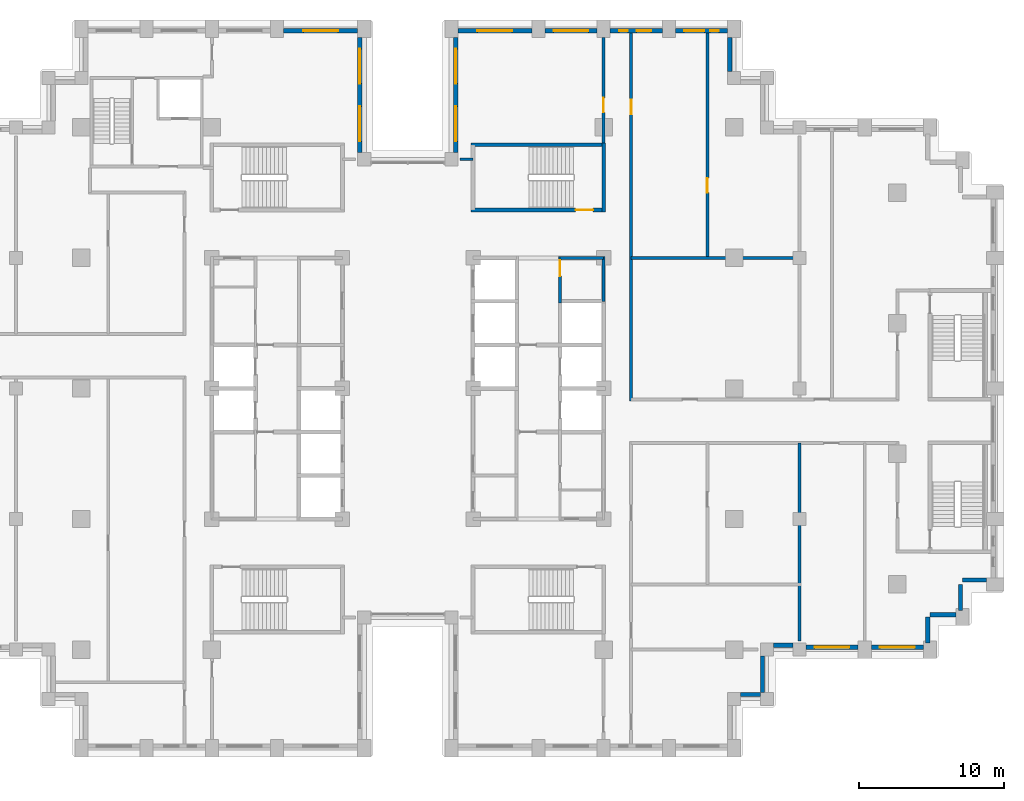
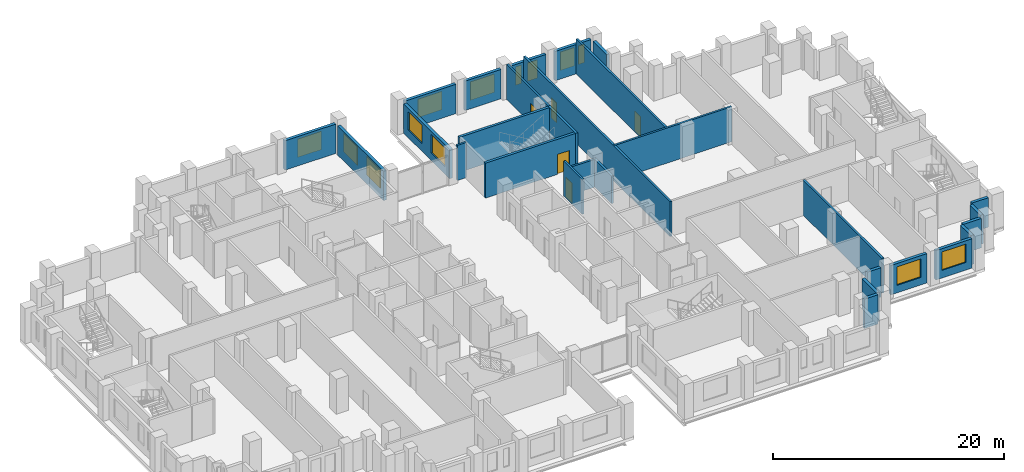
# One storey, part 11 of 16: 29 walls, 13 windows, 5 doors, 18 openings.
"""IFC4 building model written with IfcOpenShell, lengths in metres."""

from ifc_helpers import new_model, si_unit, direction, frame, frame_2d, origin, place, context, subcontext, project, spatial, rectangle, extrude, material, layer, layer_set, type_object, element, fill, save


model = new_model("IFC4")

# Units and contexts
model_context = context("Model", 3, precision=1e-05, world=origin(), true_north=direction((0.0, 1.0)))
body_context = subcontext(model_context, "Body", "Model", "MODEL_VIEW")
ifc_project = project(units=[si_unit("LENGTHUNIT", "METRE"), si_unit("AREAUNIT", "SQUARE_METRE"), si_unit("VOLUMEUNIT", "CUBIC_METRE"), si_unit("PLANEANGLEUNIT", "RADIAN"), si_unit("MASSUNIT", "GRAM", prefix="KILO")], contexts=[model_context])

# Site, building, storey
site_placement = place(None, origin())
site = spatial("IfcSite", under=ifc_project, at=site_placement, CompositionType="ELEMENT")
building_placement = place(site_placement, origin())
building = spatial("IfcBuilding", under=site, at=building_placement, Name="Corbelhall Arena Tower", CompositionType="ELEMENT")
storey_placement = place(building_placement, frame((0.0, 0.0, 108.0)))
storey = spatial("IfcBuildingStorey", under=building, at=storey_placement, Name="L19", CompositionType="ELEMENT", Elevation=108.0)

# Walls
ifc_material_1 = material(Name="Precast concrete C40/50 with granite facing", Category="masonry")
ifc_layer_1 = layer(ifc_material_1, 0.300048828125)
ifc_layer_set_1 = layer_set([ifc_layer_1], Name="EV-IW1 Infill panel 300")
wall_type_1 = type_object("IfcWallType", Name="EV-IW1 Infill panel 300", PredefinedType="SOLIDWALL", material=ifc_layer_set_1)
for number, where, z_axis, x_axis, name in (
    (1, (35.85009765625, -17.550048828125, 0.0), (0.0, 0.0, 1.0), (0.0, 1.0, 0.0), "Infill panel IW1"),
    (2, (37.800048828125, -15.60009765625, 0.0), (0.0, 0.0, 1.0), (-1.0, 0.0, 0.0), "Infill panel IW1"),
    (3, (38.10009765625, -15.300048828125, 0.0), (0.0, 0.0, 1.0), (0.0, 1.0, 0.0), "Infill panel IW1"),
):
    element("IfcWall", number, at=place(storey_placement, frame(where, z_axis=z_axis, x_axis=x_axis)), inside=storey, type_object=wall_type_1, Name=name, PredefinedType="SOLIDWALL", context=body_context, shape_type="SweptSolid", body=[
        extrude(rectangle(XDim=1.800048828125, YDim=0.300048828125, at=frame_2d((0.89990234375, 0.0))), origin(), (0.0, 0.0, 1.0), 3.10009765625),
    ])
wall_1_placement = place(storey_placement, frame((39.89990234375, -13.199951171875, 0.0), z_axis=(0.0, 0.0, 1.0), x_axis=(-1.0, 0.0, 0.0)))
element("IfcWall", 4, at=wall_1_placement, inside=storey, type_object=wall_type_1, Name="Infill panel IW1", PredefinedType="SOLIDWALL", context=body_context, shape_type="SweptSolid", body=[
    extrude(rectangle(XDim=1.64990234375, YDim=0.300048828125, at=frame_2d((0.824951171875, 0.0))), origin(), (0.0, 0.0, 1.0), 3.10009765625),
])
wall_2_placement = place(storey_placement, frame((22.949951171875, -21.10009765625, 0.0), z_axis=(0.0, 0.0, 1.0), x_axis=(1.0, 0.0, 0.0)))
element("IfcWall", 5, at=wall_2_placement, inside=storey, type_object=wall_type_1, Name="Infill panel IW1", PredefinedType="SOLIDWALL", context=body_context, shape_type="SweptSolid", body=[
    extrude(rectangle(XDim=1.35009765625, YDim=0.300048828125, at=frame_2d((0.675048828125, 0.0))), origin(), (0.0, 0.0, 1.0), 3.10009765625),
])
wall_3_placement = place(storey_placement, frame((24.449951171875, -20.949951171875, 0.0), z_axis=(0.0, 0.0, 1.0), x_axis=(0.0, 1.0, 0.0)))
element("IfcWall", 6, at=wall_3_placement, inside=storey, type_object=wall_type_1, Name="Infill panel IW1", PredefinedType="SOLIDWALL", context=body_context, shape_type="SweptSolid", body=[
    extrude(rectangle(XDim=2.5, YDim=0.300048828125, at=frame_2d((1.25, 0.0))), origin(), (0.0, 0.0, 1.0), 3.10009765625),
])
wall_4_placement = place(storey_placement, frame((25.199951171875, -17.699951171875, 0.0), z_axis=(0.0, 0.0, 1.0), x_axis=(1.0, 0.0, 0.0)))
element("IfcWall", 7, at=wall_4_placement, inside=storey, type_object=wall_type_1, Name="Infill panel IW1", PredefinedType="SOLIDWALL", context=body_context, shape_type="SweptSolid", body=[
    extrude(rectangle(XDim=1.35009765625, YDim=0.300048828125, at=frame_2d((0.675048828125, 0.0))), origin(), (0.0, 0.0, 1.0), 3.10009765625),
])

# Wall, opening, window
wall_5_placement = place(storey_placement, frame((27.449951171875, -17.85009765625, 0.0), z_axis=(0.0, 0.0, 1.0), x_axis=(1.0, 0.0, 0.0)))
wall_5 = element("IfcWall", 8, at=wall_5_placement, inside=storey, type_object=wall_type_1, Name="Infill panel IW1", PredefinedType="SOLIDWALL", context=body_context, shape_type="SweptSolid", body=[
    extrude(rectangle(XDim=3.60009765625, YDim=0.300048828125, at=frame_2d((1.800048828125, 0.0))), origin(), (0.0, 0.0, 1.0), 3.10009765625),
])
opening_1_placement = place(wall_5_placement, frame((0.60009765625, 0.0, 0.800048828125)))
opening_1 = element("IfcOpeningElement", 9, at=opening_1_placement, cuts=wall_5, Name="Opening WN1", PredefinedType="OPENING", context=body_context, shape_type="SweptSolid", body=[
    extrude(rectangle(XDim=2.39990234375, YDim=1.949951171875, at=frame_2d((1.199951171875, 0.97509765625))), frame((0.0, 0.14990234375, 0.0), z_axis=(0.0, -1.0, 0.0), x_axis=(1.0, 0.0, 0.0)), (0.0, 0.0, 1.0), 0.300048828125),
])
ifc_material_2 = material(Name="Aluminium black anodised", Category="aluminium")
window_type_1 = type_object("IfcWindowType", Name="EV-WN1 Office window", PartitioningType="SINGLE_PANEL", PredefinedType="WINDOW", material=ifc_material_2)
window_1_placement = place(opening_1_placement, origin())
window_1 = element("IfcWindow", 10, at=window_1_placement, inside=storey, type_object=window_type_1, Name="Window WN1", OverallHeight=1.949951171875, OverallWidth=2.39990234375, PartitioningType="SINGLE_PANEL", PredefinedType="WINDOW", context=body_context, shape_type="SweptSolid", body=[
    extrude(rectangle(XDim=2.39990234375, YDim=1.949951171875, at=frame_2d((1.199951171875, 0.97509765625))), frame((0.0, 0.030029296875, 0.0), z_axis=(0.0, -1.0, 0.0), x_axis=(1.0, 0.0, 0.0)), (0.0, 0.0, 1.0), 0.06005859375),
])
fill(opening_1, window_1)

wall_6_placement = place(storey_placement, frame((31.949951171875, -17.85009765625, 0.0), z_axis=(0.0, 0.0, 1.0), x_axis=(1.0, 0.0, 0.0)))
wall_6 = element("IfcWall", 11, at=wall_6_placement, inside=storey, type_object=wall_type_1, Name="Infill panel IW1", PredefinedType="SOLIDWALL", context=body_context, shape_type="SweptSolid", body=[
    extrude(rectangle(XDim=3.60009765625, YDim=0.300048828125, at=frame_2d((1.800048828125, 0.0))), origin(), (0.0, 0.0, 1.0), 3.10009765625),
])
opening_2_placement = place(wall_6_placement, frame((0.60009765625, 0.0, 0.800048828125)))
opening_2 = element("IfcOpeningElement", 12, at=opening_2_placement, cuts=wall_6, Name="Opening WN1", PredefinedType="OPENING", context=body_context, shape_type="SweptSolid", body=[
    extrude(rectangle(XDim=2.39990234375, YDim=1.949951171875, at=frame_2d((1.199951171875, 0.97509765625))), frame((0.0, 0.14990234375, 0.0), z_axis=(0.0, -1.0, 0.0), x_axis=(1.0, 0.0, 0.0)), (0.0, 0.0, 1.0), 0.300048828125),
])
window_2_placement = place(opening_2_placement, origin())
window_2 = element("IfcWindow", 13, at=window_2_placement, inside=storey, type_object=window_type_1, Name="Window WN1", OverallHeight=1.949951171875, OverallWidth=2.39990234375, PartitioningType="SINGLE_PANEL", PredefinedType="WINDOW", context=body_context, shape_type="SweptSolid", body=[
    extrude(rectangle(XDim=2.39990234375, YDim=1.949951171875, at=frame_2d((1.199951171875, 0.97509765625))), frame((0.0, 0.030029296875, 0.0), z_axis=(0.0, -1.0, 0.0), x_axis=(1.0, 0.0, 0.0)), (0.0, 0.0, 1.0), 0.06005859375),
])
fill(opening_2, window_2)

# Wall
wall_7_placement = place(storey_placement, frame((22.199951171875, 21.85009765625, 0.0), z_axis=(0.0, 0.0, 1.0), x_axis=(0.0, 1.0, 0.0)))
element("IfcWall", 14, at=wall_7_placement, inside=storey, type_object=wall_type_1, Name="Infill panel IW1", PredefinedType="SOLIDWALL", context=body_context, shape_type="SweptSolid", body=[
    extrude(rectangle(XDim=2.349853515625, YDim=0.300048828125, at=frame_2d((1.1748046875, 0.0))), origin(), (0.0, 0.0, 1.0), 3.10009765625),
])

# Wall, openings, windows
wall_8_placement = place(storey_placement, frame((22.050048828125, 24.64990234375, 0.0), z_axis=(0.0, 0.0, 1.0), x_axis=(-1.0, 0.0, 0.0)))
wall_8 = element("IfcWall", 15, at=wall_8_placement, inside=storey, type_object=wall_type_1, Name="Infill panel IW1", PredefinedType="SOLIDWALL", context=body_context, shape_type="SweptSolid", body=[
    extrude(rectangle(XDim=3.60009765625, YDim=0.300048828125, at=frame_2d((1.800048828125, 0.0))), origin(), (0.0, 0.0, 1.0), 3.10009765625),
])
opening_3_placement = place(wall_8_placement, frame((0.60009765625, 0.0, 0.800048828125)))
opening_3 = element("IfcOpeningElement", 16, at=opening_3_placement, cuts=wall_8, Name="Opening WN5", PredefinedType="OPENING", context=body_context, shape_type="SweptSolid", body=[
    extrude(rectangle(XDim=0.60009765625, YDim=1.949951171875, at=frame_2d((0.300048828125, 0.97509765625))), frame((0.0, 0.14990234375, 0.0), z_axis=(0.0, -1.0, 0.0), x_axis=(1.0, 0.0, 0.0)), (0.0, 0.0, 1.0), 0.300048828125),
])
opening_4_placement = place(wall_8_placement, frame((1.60009765625, 0.0, 0.800048828125)))
opening_4 = element("IfcOpeningElement", 17, at=opening_4_placement, cuts=wall_8, Name="Opening WN7", PredefinedType="OPENING", context=body_context, shape_type="SweptSolid", body=[
    extrude(rectangle(XDim=1.39990234375, YDim=1.949951171875, at=frame_2d((0.699951171875, 0.97509765625))), frame((0.0, 0.14990234375, 0.0), z_axis=(0.0, -1.0, 0.0), x_axis=(1.0, 0.0, 0.0)), (0.0, 0.0, 1.0), 0.300048828125),
])
window_type_2 = type_object("IfcWindowType", Name="EV-WN5 Office window 600", PartitioningType="SINGLE_PANEL", PredefinedType="WINDOW", material=ifc_material_2)
window_3_placement = place(opening_3_placement, origin())
window_3 = element("IfcWindow", 18, at=window_3_placement, inside=storey, type_object=window_type_2, Name="Window WN5", OverallHeight=1.949951171875, OverallWidth=0.60009765625, PartitioningType="SINGLE_PANEL", PredefinedType="WINDOW", context=body_context, shape_type="SweptSolid", body=[
    extrude(rectangle(XDim=0.60009765625, YDim=1.949951171875, at=frame_2d((0.300048828125, 0.97509765625))), frame((0.0, 0.030029296875, 0.0), z_axis=(0.0, -1.0, 0.0), x_axis=(1.0, 0.0, 0.0)), (0.0, 0.0, 1.0), 0.06005859375),
])
fill(opening_3, window_3)
window_type_3 = type_object("IfcWindowType", Name="EV-WN7 Office window 1400", PartitioningType="SINGLE_PANEL", PredefinedType="WINDOW", material=ifc_material_2)
window_4_placement = place(opening_4_placement, origin())
window_4 = element("IfcWindow", 19, at=window_4_placement, inside=storey, type_object=window_type_3, Name="Window WN7", OverallHeight=1.949951171875, OverallWidth=1.39990234375, PartitioningType="SINGLE_PANEL", PredefinedType="WINDOW", context=body_context, shape_type="SweptSolid", body=[
    extrude(rectangle(XDim=1.39990234375, YDim=1.949951171875, at=frame_2d((0.699951171875, 0.97509765625))), frame((0.0, 0.030029296875, 0.0), z_axis=(0.0, -1.0, 0.0), x_axis=(1.0, 0.0, 0.0)), (0.0, 0.0, 1.0), 0.06005859375),
])
fill(opening_4, window_4)

wall_9_placement = place(storey_placement, frame((17.550048828125, 24.64990234375, 0.0), z_axis=(0.0, 0.0, 1.0), x_axis=(-1.0, 0.0, 0.0)))
wall_9 = element("IfcWall", 20, at=wall_9_placement, inside=storey, type_object=wall_type_1, Name="Infill panel IW1", PredefinedType="SOLIDWALL", context=body_context, shape_type="SweptSolid", body=[
    extrude(rectangle(XDim=3.60009765625, YDim=0.300048828125, at=frame_2d((1.800048828125, 0.0))), origin(), (0.0, 0.0, 1.0), 3.10009765625),
])
opening_5_placement = place(wall_9_placement, frame((0.77490234375, 0.0, 0.800048828125)))
opening_5 = element("IfcOpeningElement", 21, at=opening_5_placement, cuts=wall_9, Name="Opening WN6", PredefinedType="OPENING", context=body_context, shape_type="SweptSolid", body=[
    extrude(rectangle(XDim=1.0, YDim=1.949951171875, at=frame_2d((0.5, 0.97509765625))), frame((0.0, 0.14990234375, 0.0), z_axis=(0.0, -1.0, 0.0), x_axis=(1.0, 0.0, 0.0)), (0.0, 0.0, 1.0), 0.300048828125),
])
opening_6_placement = place(wall_9_placement, frame((2.375, 0.0, 0.800048828125)))
opening_6 = element("IfcOpeningElement", 22, at=opening_6_placement, cuts=wall_9, Name="Opening WN5", PredefinedType="OPENING", context=body_context, shape_type="SweptSolid", body=[
    extrude(rectangle(XDim=0.60009765625, YDim=1.949951171875, at=frame_2d((0.300048828125, 0.97509765625))), frame((0.0, 0.14990234375, 0.0), z_axis=(0.0, -1.0, 0.0), x_axis=(1.0, 0.0, 0.0)), (0.0, 0.0, 1.0), 0.300048828125),
])
window_5_placement = place(opening_6_placement, origin())
window_5 = element("IfcWindow", 23, at=window_5_placement, inside=storey, type_object=window_type_2, Name="Window WN5", OverallHeight=1.949951171875, OverallWidth=0.60009765625, PartitioningType="SINGLE_PANEL", PredefinedType="WINDOW", context=body_context, shape_type="SweptSolid", body=[
    extrude(rectangle(XDim=0.60009765625, YDim=1.949951171875, at=frame_2d((0.300048828125, 0.97509765625))), frame((0.0, 0.030029296875, 0.0), z_axis=(0.0, -1.0, 0.0), x_axis=(1.0, 0.0, 0.0)), (0.0, 0.0, 1.0), 0.06005859375),
])
fill(opening_6, window_5)
window_type_4 = type_object("IfcWindowType", Name="EV-WN6 Office window 1000", PartitioningType="SINGLE_PANEL", PredefinedType="WINDOW", material=ifc_material_2)
window_6_placement = place(opening_5_placement, origin())
window_6 = element("IfcWindow", 24, at=window_6_placement, inside=storey, type_object=window_type_4, Name="Window WN6", OverallHeight=1.949951171875, OverallWidth=1.0, PartitioningType="SINGLE_PANEL", PredefinedType="WINDOW", context=body_context, shape_type="SweptSolid", body=[
    extrude(rectangle(XDim=1.0, YDim=1.949951171875, at=frame_2d((0.5, 0.97509765625))), frame((0.0, 0.030029296875, 0.0), z_axis=(0.0, -1.0, 0.0), x_axis=(1.0, 0.0, 0.0)), (0.0, 0.0, 1.0), 0.06005859375),
])
fill(opening_5, window_6)

# Wall, opening, window
wall_10_placement = place(storey_placement, frame((13.050048828125, 24.64990234375, 0.0), z_axis=(0.0, 0.0, 1.0), x_axis=(-1.0, 0.0, 0.0)))
wall_10 = element("IfcWall", 25, at=wall_10_placement, inside=storey, type_object=wall_type_1, Name="Infill panel IW1", PredefinedType="SOLIDWALL", context=body_context, shape_type="SweptSolid", body=[
    extrude(rectangle(XDim=3.60009765625, YDim=0.300048828125, at=frame_2d((1.800048828125, 0.0))), origin(), (0.0, 0.0, 1.0), 3.10009765625),
])
opening_7_placement = place(wall_10_placement, frame((0.60009765625, 0.0, 0.800048828125)))
opening_7 = element("IfcOpeningElement", 26, at=opening_7_placement, cuts=wall_10, Name="Opening WN1", PredefinedType="OPENING", context=body_context, shape_type="SweptSolid", body=[
    extrude(rectangle(XDim=2.39990234375, YDim=1.949951171875, at=frame_2d((1.199951171875, 0.97509765625))), frame((0.0, 0.14990234375, 0.0), z_axis=(0.0, -1.0, 0.0), x_axis=(1.0, 0.0, 0.0)), (0.0, 0.0, 1.0), 0.300048828125),
])
window_7_placement = place(opening_7_placement, origin())
window_7 = element("IfcWindow", 27, at=window_7_placement, inside=storey, type_object=window_type_1, Name="Window WN1", OverallHeight=1.949951171875, OverallWidth=2.39990234375, PartitioningType="SINGLE_PANEL", PredefinedType="WINDOW", context=body_context, shape_type="SweptSolid", body=[
    extrude(rectangle(XDim=2.39990234375, YDim=1.949951171875, at=frame_2d((1.199951171875, 0.97509765625))), frame((0.0, 0.030029296875, 0.0), z_axis=(0.0, -1.0, 0.0), x_axis=(1.0, 0.0, 0.0)), (0.0, 0.0, 1.0), 0.06005859375),
])
fill(opening_7, window_7)

wall_11_placement = place(storey_placement, frame((8.550048828125, 24.64990234375, 0.0), z_axis=(0.0, 0.0, 1.0), x_axis=(-1.0, 0.0, 0.0)))
wall_11 = element("IfcWall", 28, at=wall_11_placement, inside=storey, type_object=wall_type_1, Name="Infill panel IW1", PredefinedType="SOLIDWALL", context=body_context, shape_type="SweptSolid", body=[
    extrude(rectangle(XDim=5.10009765625, YDim=0.300048828125, at=frame_2d((2.550048828125, 0.0))), origin(), (0.0, 0.0, 1.0), 3.10009765625),
])
opening_8_placement = place(wall_11_placement, frame((1.35009765625, 0.0, 0.800048828125)))
opening_8 = element("IfcOpeningElement", 29, at=opening_8_placement, cuts=wall_11, Name="Opening WN1", PredefinedType="OPENING", context=body_context, shape_type="SweptSolid", body=[
    extrude(rectangle(XDim=2.39990234375, YDim=1.949951171875, at=frame_2d((1.199951171875, 0.97509765625))), frame((0.0, 0.14990234375, 0.0), z_axis=(0.0, -1.0, 0.0), x_axis=(1.0, 0.0, 0.0)), (0.0, 0.0, 1.0), 0.300048828125),
])
window_8_placement = place(opening_8_placement, origin())
window_8 = element("IfcWindow", 30, at=window_8_placement, inside=storey, type_object=window_type_1, Name="Window WN1", OverallHeight=1.949951171875, OverallWidth=2.39990234375, PartitioningType="SINGLE_PANEL", PredefinedType="WINDOW", context=body_context, shape_type="SweptSolid", body=[
    extrude(rectangle(XDim=2.39990234375, YDim=1.949951171875, at=frame_2d((1.199951171875, 0.97509765625))), frame((0.0, 0.030029296875, 0.0), z_axis=(0.0, -1.0, 0.0), x_axis=(1.0, 0.0, 0.0)), (0.0, 0.0, 1.0), 0.06005859375),
])
fill(opening_8, window_8)

# Wall, openings, windows
wall_12_placement = place(storey_placement, frame((3.300048828125, 24.199951171875, 0.0), z_axis=(0.0, 0.0, 1.0), x_axis=(0.0, -1.0, 0.0)))
wall_12 = element("IfcWall", 31, at=wall_12_placement, inside=storey, type_object=wall_type_1, Name="Infill panel IW1", PredefinedType="SOLIDWALL", context=body_context, shape_type="SweptSolid", body=[
    extrude(rectangle(XDim=7.949951171875, YDim=0.300048828125, at=frame_2d((3.97509765625, 0.0))), origin(), (0.0, 0.0, 1.0), 3.10009765625),
])
opening_9_placement = place(wall_12_placement, frame((0.78759765625, 0.0, 0.800048828125)))
opening_9 = element("IfcOpeningElement", 32, at=opening_9_placement, cuts=wall_12, Name="Opening WN1", PredefinedType="OPENING", context=body_context, shape_type="SweptSolid", body=[
    extrude(rectangle(XDim=2.39990234375, YDim=1.949951171875, at=frame_2d((1.199951171875, 0.97509765625))), frame((0.0, 0.14990234375, 0.0), z_axis=(0.0, -1.0, 0.0), x_axis=(1.0, 0.0, 0.0)), (0.0, 0.0, 1.0), 0.300048828125),
])
opening_10_placement = place(wall_12_placement, frame((4.762451171875, 0.0, 0.800048828125)))
opening_10 = element("IfcOpeningElement", 33, at=opening_10_placement, cuts=wall_12, Name="Opening WN1", PredefinedType="OPENING", context=body_context, shape_type="SweptSolid", body=[
    extrude(rectangle(XDim=2.39990234375, YDim=1.949951171875, at=frame_2d((1.199951171875, 0.97509765625))), frame((0.0, 0.14990234375, 0.0), z_axis=(0.0, -1.0, 0.0), x_axis=(1.0, 0.0, 0.0)), (0.0, 0.0, 1.0), 0.300048828125),
])
window_9_placement = place(opening_9_placement, origin())
window_9 = element("IfcWindow", 34, at=window_9_placement, inside=storey, type_object=window_type_1, Name="Window WN1", OverallHeight=1.949951171875, OverallWidth=2.39990234375, PartitioningType="SINGLE_PANEL", PredefinedType="WINDOW", context=body_context, shape_type="SweptSolid", body=[
    extrude(rectangle(XDim=2.39990234375, YDim=1.949951171875, at=frame_2d((1.199951171875, 0.97509765625))), frame((0.0, 0.030029296875, 0.0), z_axis=(0.0, -1.0, 0.0), x_axis=(1.0, 0.0, 0.0)), (0.0, 0.0, 1.0), 0.06005859375),
])
fill(opening_9, window_9)
window_10_placement = place(opening_10_placement, origin())
window_10 = element("IfcWindow", 35, at=window_10_placement, inside=storey, type_object=window_type_1, Name="Window WN1", OverallHeight=1.949951171875, OverallWidth=2.39990234375, PartitioningType="SINGLE_PANEL", PredefinedType="WINDOW", context=body_context, shape_type="SweptSolid", body=[
    extrude(rectangle(XDim=2.39990234375, YDim=1.949951171875, at=frame_2d((1.199951171875, 0.97509765625))), frame((0.0, 0.030029296875, 0.0), z_axis=(0.0, -1.0, 0.0), x_axis=(1.0, 0.0, 0.0)), (0.0, 0.0, 1.0), 0.06005859375),
])
fill(opening_10, window_10)

wall_13_placement = place(storey_placement, frame((-3.300048828125, 16.25, 0.0), z_axis=(0.0, 0.0, 1.0), x_axis=(0.0, 1.0, 0.0)))
wall_13 = element("IfcWall", 36, at=wall_13_placement, inside=storey, type_object=wall_type_1, Name="Infill panel IW1", PredefinedType="SOLIDWALL", context=body_context, shape_type="SweptSolid", body=[
    extrude(rectangle(XDim=7.949951171875, YDim=0.300048828125, at=frame_2d((3.97509765625, 0.0))), origin(), (0.0, 0.0, 1.0), 3.10009765625),
])
opening_11_placement = place(wall_13_placement, frame((0.78759765625, 0.0, 0.800048828125)))
opening_11 = element("IfcOpeningElement", 37, at=opening_11_placement, cuts=wall_13, Name="Opening WN1", PredefinedType="OPENING", context=body_context, shape_type="SweptSolid", body=[
    extrude(rectangle(XDim=2.39990234375, YDim=1.949951171875, at=frame_2d((1.199951171875, 0.97509765625))), frame((0.0, 0.14990234375, 0.0), z_axis=(0.0, -1.0, 0.0), x_axis=(1.0, 0.0, 0.0)), (0.0, 0.0, 1.0), 0.300048828125),
])
opening_12_placement = place(wall_13_placement, frame((4.762451171875, 0.0, 0.800048828125)))
opening_12 = element("IfcOpeningElement", 38, at=opening_12_placement, cuts=wall_13, Name="Opening WN1", PredefinedType="OPENING", context=body_context, shape_type="SweptSolid", body=[
    extrude(rectangle(XDim=2.39990234375, YDim=1.949951171875, at=frame_2d((1.199951171875, 0.97509765625))), frame((0.0, 0.14990234375, 0.0), z_axis=(0.0, -1.0, 0.0), x_axis=(1.0, 0.0, 0.0)), (0.0, 0.0, 1.0), 0.300048828125),
])
window_11_placement = place(opening_11_placement, origin())
window_11 = element("IfcWindow", 39, at=window_11_placement, inside=storey, type_object=window_type_1, Name="Window WN1", OverallHeight=1.949951171875, OverallWidth=2.39990234375, PartitioningType="SINGLE_PANEL", PredefinedType="WINDOW", context=body_context, shape_type="SweptSolid", body=[
    extrude(rectangle(XDim=2.39990234375, YDim=1.949951171875, at=frame_2d((1.199951171875, 0.97509765625))), frame((0.0, 0.030029296875, 0.0), z_axis=(0.0, -1.0, 0.0), x_axis=(1.0, 0.0, 0.0)), (0.0, 0.0, 1.0), 0.06005859375),
])
fill(opening_11, window_11)
window_12_placement = place(opening_12_placement, origin())
window_12 = element("IfcWindow", 40, at=window_12_placement, inside=storey, type_object=window_type_1, Name="Window WN1", OverallHeight=1.949951171875, OverallWidth=2.39990234375, PartitioningType="SINGLE_PANEL", PredefinedType="WINDOW", context=body_context, shape_type="SweptSolid", body=[
    extrude(rectangle(XDim=2.39990234375, YDim=1.949951171875, at=frame_2d((1.199951171875, 0.97509765625))), frame((0.0, 0.030029296875, 0.0), z_axis=(0.0, -1.0, 0.0), x_axis=(1.0, 0.0, 0.0)), (0.0, 0.0, 1.0), 0.06005859375),
])
fill(opening_12, window_12)

# Wall, opening, window
wall_14_placement = place(storey_placement, frame((-3.449951171875, 24.64990234375, 0.0), z_axis=(0.0, 0.0, 1.0), x_axis=(-1.0, 0.0, 0.0)))
wall_14 = element("IfcWall", 41, at=wall_14_placement, inside=storey, type_object=wall_type_1, Name="Infill panel IW1", PredefinedType="SOLIDWALL", context=body_context, shape_type="SweptSolid", body=[
    extrude(rectangle(XDim=5.10009765625, YDim=0.300048828125, at=frame_2d((2.550048828125, 0.0))), origin(), (0.0, 0.0, 1.0), 3.10009765625),
])
opening_13_placement = place(wall_14_placement, frame((1.35009765625, 0.0, 0.800048828125)))
opening_13 = element("IfcOpeningElement", 42, at=opening_13_placement, cuts=wall_14, Name="Opening WN1", PredefinedType="OPENING", context=body_context, shape_type="SweptSolid", body=[
    extrude(rectangle(XDim=2.39990234375, YDim=1.949951171875, at=frame_2d((1.199951171875, 0.97509765625))), frame((0.0, 0.14990234375, 0.0), z_axis=(0.0, -1.0, 0.0), x_axis=(1.0, 0.0, 0.0)), (0.0, 0.0, 1.0), 0.300048828125),
])
window_13_placement = place(opening_13_placement, origin())
window_13 = element("IfcWindow", 43, at=window_13_placement, inside=storey, type_object=window_type_1, Name="Window WN1", OverallHeight=1.949951171875, OverallWidth=2.39990234375, PartitioningType="SINGLE_PANEL", PredefinedType="WINDOW", context=body_context, shape_type="SweptSolid", body=[
    extrude(rectangle(XDim=2.39990234375, YDim=1.949951171875, at=frame_2d((1.199951171875, 0.97509765625))), frame((0.0, 0.030029296875, 0.0), z_axis=(0.0, -1.0, 0.0), x_axis=(1.0, 0.0, 0.0)), (0.0, 0.0, 1.0), 0.06005859375),
])
fill(opening_13, window_13)

# Wall
ifc_material_3 = material(Name="Gypsum board on steel stud, acoustic", Category="steel")
ifc_layer_2 = layer(ifc_material_3, 0.199951171875)
ifc_layer_set_2 = layer_set([ifc_layer_2], Name="IN-W-DM200")
wall_type_2 = type_object("IfcWallType", Name="IN-W-DM200", PredefinedType="PARTITIONING", material=ifc_layer_set_2)
wall_15_placement = place(storey_placement, frame((3.60009765625, 15.800048828125, 0.0), z_axis=(0.0, 0.0, 1.0), x_axis=(1.0, 0.0, 0.0)))
element("IfcWall", 44, at=wall_15_placement, inside=storey, type_object=wall_type_2, Name="Partition 023", PredefinedType="PARTITIONING", context=body_context, shape_type="SweptSolid", body=[
    extrude(rectangle(XDim=0.89990234375, YDim=0.199951171875, at=frame_2d((0.449951171875, 0.0))), origin(), (0.0, 0.0, 1.0), 3.699951171875),
])

# Wall, opening, door
wall_16_placement = place(storey_placement, frame((13.5, 16.675048828125, 0.0), z_axis=(0.0, 0.0, 1.0), x_axis=(0.0, 1.0, 0.0)))
wall_16 = element("IfcWall", 45, at=wall_16_placement, inside=storey, type_object=wall_type_2, Name="Partition 026", PredefinedType="PARTITIONING", context=body_context, shape_type="SweptSolid", body=[
    extrude(rectangle(XDim=7.52490234375, YDim=0.199951171875, at=frame_2d((3.762451171875, 0.0))), origin(), (0.0, 0.0, 1.0), 3.699951171875),
])
opening_14_placement = place(wall_16_placement, frame((2.35009765625, 0.0, 0.0)))
opening_14 = element("IfcOpeningElement", 46, at=opening_14_placement, cuts=wall_16, Name="Opening 04024", PredefinedType="OPENING", context=body_context, shape_type="SweptSolid", body=[
    extrude(rectangle(XDim=1.0, YDim=2.10009765625, at=frame_2d((0.5, 1.050048828125))), frame((0.0, 0.10009765625, 0.0), z_axis=(0.0, -1.0, 0.0), x_axis=(1.0, 0.0, 0.0)), (0.0, 0.0, 1.0), 0.199951171875),
])
ifc_material_4 = material(Name="Steel door set", Category="steel")
door_type_1 = type_object("IfcDoorType", Name="IN-D-SW100", OperationType="NOTDEFINED", PredefinedType="DOOR", material=ifc_material_4)
door_1_placement = place(opening_14_placement, origin())
door_1 = element("IfcDoor", 47, at=door_1_placement, inside=storey, type_object=door_type_1, Name="Door 024", OperationType="SINGLE_SWING_LEFT", OverallHeight=2.10009765625, OverallWidth=1.0, PredefinedType="DOOR", context=body_context, shape_type="SweptSolid", body=[
    extrude(rectangle(XDim=1.0, YDim=2.10009765625, at=frame_2d((0.5, 1.050048828125))), frame((0.0, 0.02490234375, 0.0), z_axis=(0.0, -1.0, 0.0), x_axis=(1.0, 0.0, 0.0)), (0.0, 0.0, 1.0), 0.050048828125),
])
fill(opening_14, door_1)

# Wall
wall_17_placement = place(storey_placement, frame((15.39990234375, 9.0, 0.0), z_axis=(0.0, 0.0, 1.0), x_axis=(1.0, 0.0, 0.0)))
element("IfcWall", 48, at=wall_17_placement, inside=storey, type_object=wall_type_2, Name="Partition 031", PredefinedType="PARTITIONING", context=body_context, shape_type="SweptSolid", body=[
    extrude(rectangle(XDim=11.7001953125, YDim=0.199951171875, at=frame_2d((5.85009765625, 0.0))), origin(), (0.0, 0.0, 1.0), 3.699951171875),
])

# Wall, opening, door
wall_18_placement = place(storey_placement, frame((15.39990234375, 24.5, 0.0), z_axis=(0.0, 0.0, 1.0), x_axis=(0.0, -1.0, 0.0)))
wall_18 = element("IfcWall", 49, at=wall_18_placement, inside=storey, type_object=wall_type_2, Name="Partition 032", PredefinedType="PARTITIONING", context=body_context, shape_type="SweptSolid", body=[
    extrude(rectangle(XDim=25.35009765625, YDim=0.199951171875, at=frame_2d((12.675048828125, 0.0))), origin(), (0.0, 0.0, 1.0), 3.699951171875),
])
opening_15_placement = place(wall_18_placement, frame((4.60009765625, 0.0, 0.0)))
opening_15 = element("IfcOpeningElement", 50, at=opening_15_placement, cuts=wall_18, Name="Opening 04033", PredefinedType="OPENING", context=body_context, shape_type="SweptSolid", body=[
    extrude(rectangle(XDim=1.0, YDim=2.10009765625, at=frame_2d((0.5, 1.050048828125))), frame((0.0, 0.10009765625, 0.0), z_axis=(0.0, -1.0, 0.0), x_axis=(1.0, 0.0, 0.0)), (0.0, 0.0, 1.0), 0.199951171875),
])
door_2_placement = place(opening_15_placement, origin())
door_2 = element("IfcDoor", 51, at=door_2_placement, inside=storey, type_object=door_type_1, Name="Door 033", OperationType="SINGLE_SWING_RIGHT", OverallHeight=2.10009765625, OverallWidth=1.0, PredefinedType="DOOR", context=body_context, shape_type="SweptSolid", body=[
    extrude(rectangle(XDim=1.0, YDim=2.10009765625, at=frame_2d((0.5, 1.050048828125))), frame((0.0, 0.02490234375, 0.0), z_axis=(0.0, -1.0, 0.0), x_axis=(1.0, 0.0, 0.0)), (0.0, 0.0, 1.0), 0.050048828125),
])
fill(opening_15, door_2)

wall_19_placement = place(storey_placement, frame((20.64990234375, 24.5, 0.0), z_axis=(0.0, 0.0, 1.0), x_axis=(0.0, -1.0, 0.0)))
wall_19 = element("IfcWall", 52, at=wall_19_placement, inside=storey, type_object=wall_type_2, Name="Partition 034", PredefinedType="PARTITIONING", context=body_context, shape_type="SweptSolid", body=[
    extrude(rectangle(XDim=15.5, YDim=0.199951171875, at=frame_2d((7.75, 0.0))), origin(), (0.0, 0.0, 1.0), 3.699951171875),
])
opening_16_placement = place(wall_19_placement, frame((10.0, 0.0, 0.0)))
opening_16 = element("IfcOpeningElement", 53, at=opening_16_placement, cuts=wall_19, Name="Opening 04034", PredefinedType="OPENING", context=body_context, shape_type="SweptSolid", body=[
    extrude(rectangle(XDim=1.0, YDim=2.10009765625, at=frame_2d((0.5, 1.050048828125))), frame((0.0, 0.10009765625, 0.0), z_axis=(0.0, -1.0, 0.0), x_axis=(1.0, 0.0, 0.0)), (0.0, 0.0, 1.0), 0.199951171875),
])
door_3_placement = place(opening_16_placement, origin())
door_3 = element("IfcDoor", 54, at=door_3_placement, inside=storey, type_object=door_type_1, Name="Door 034", OperationType="SINGLE_SWING_LEFT", OverallHeight=2.10009765625, OverallWidth=1.0, PredefinedType="DOOR", context=body_context, shape_type="SweptSolid", body=[
    extrude(rectangle(XDim=1.0, YDim=2.10009765625, at=frame_2d((0.5, 1.050048828125))), frame((0.0, 0.02490234375, 0.0), z_axis=(0.0, -1.0, 0.0), x_axis=(1.0, 0.0, 0.0)), (0.0, 0.0, 1.0), 0.050048828125),
])
fill(opening_16, door_3)

# Wall
wall_20_placement = place(storey_placement, frame((27.0, -3.75, 0.0), z_axis=(0.0, 0.0, 1.0), x_axis=(0.0, -1.0, 0.0)))
element("IfcWall", 55, at=wall_20_placement, inside=storey, type_object=wall_type_2, Name="Partition 036", PredefinedType="PARTITIONING", context=body_context, shape_type="SweptSolid", body=[
    extrude(rectangle(XDim=13.64990234375, YDim=0.199951171875, at=frame_2d((6.824951171875, 0.0))), origin(), (0.0, 0.0, 1.0), 3.699951171875),
])

# Wall, opening, door
ifc_material_5 = material(Name="Concrete block wall", Category="concrete")
ifc_layer_3 = layer(ifc_material_5, 0.199951171875)
ifc_layer_set_3 = layer_set([ifc_layer_3], Name="IN-W-RS200")
wall_type_3 = type_object("IfcWallType", Name="IN-W-RS200", PredefinedType="SOLIDWALL", material=ifc_layer_set_3)
wall_21_placement = place(storey_placement, frame((10.5, 9.10009765625, 0.0), z_axis=(0.0, 0.0, 1.0), x_axis=(0.0, -1.0, 0.0)))
wall_21 = element("IfcWall", 56, at=wall_21_placement, inside=storey, type_object=wall_type_3, Name="Partition 057", PredefinedType="SOLIDWALL", context=body_context, shape_type="SweptSolid", body=[
    extrude(rectangle(XDim=3.22509765625, YDim=0.199951171875, at=frame_2d((1.612548828125, 0.0))), origin(), (0.0, 0.0, 1.0), 3.699951171875),
])
opening_17_placement = place(wall_21_placement, frame((0.25, 0.0, 0.0)))
opening_17 = element("IfcOpeningElement", 57, at=opening_17_placement, cuts=wall_21, Name="Opening 04014", PredefinedType="OPENING", context=body_context, shape_type="SweptSolid", body=[
    extrude(rectangle(XDim=1.10009765625, YDim=2.10009765625, at=frame_2d((0.550048828125, 1.050048828125))), frame((0.0, 0.10009765625, 0.0), z_axis=(0.0, -1.0, 0.0), x_axis=(1.0, 0.0, 0.0)), (0.0, 0.0, 1.0), 0.199951171875),
])
door_type_2 = type_object("IfcDoorType", Name="IN-D-FD110", OperationType="NOTDEFINED", PredefinedType="DOOR", material=ifc_material_4)
door_4_placement = place(opening_17_placement, origin())
door_4 = element("IfcDoor", 58, at=door_4_placement, inside=storey, type_object=door_type_2, Name="Door 014", OperationType="SINGLE_SWING_LEFT", OverallHeight=2.10009765625, OverallWidth=1.10009765625, PredefinedType="DOOR", context=body_context, shape_type="SweptSolid", body=[
    extrude(rectangle(XDim=1.10009765625, YDim=2.10009765625, at=frame_2d((0.550048828125, 1.050048828125))), frame((0.0, 0.02490234375, 0.0), z_axis=(0.0, -1.0, 0.0), x_axis=(1.0, 0.0, 0.0)), (0.0, 0.0, 1.0), 0.050048828125),
])
fill(opening_17, door_4)

# Walls
ifc_layer_4 = layer(ifc_material_5, 0.199951171875)
ifc_layer_set_4 = layer_set([ifc_layer_4], Name="IN-W-RS200 under beam 762 mm")
wall_type_4 = type_object("IfcWallType", Name="IN-W-RS200 under beam 762 mm", PredefinedType="SOLIDWALL", material=ifc_layer_set_4)
wall_22_placement = place(storey_placement, frame((10.5, 9.0, 0.0), z_axis=(0.0, 0.0, 1.0), x_axis=(1.0, 0.0, 0.0)))
element("IfcWall", 59, at=wall_22_placement, inside=storey, type_object=wall_type_4, Name="Partition 056", PredefinedType="SOLIDWALL", context=body_context, shape_type="SweptSolid", body=[
    extrude(rectangle(XDim=3.0, YDim=0.199951171875, at=frame_2d((1.5, 0.0))), origin(), (0.0, 0.0, 1.0), 2.93798828125),
])
wall_23_placement = place(storey_placement, frame((13.5, 9.10009765625, 0.0), z_axis=(0.0, 0.0, 1.0), x_axis=(0.0, -1.0, 0.0)))
element("IfcWall", 60, at=wall_23_placement, inside=storey, type_object=wall_type_4, Name="Partition 059", PredefinedType="SOLIDWALL", context=body_context, shape_type="SweptSolid", body=[
    extrude(rectangle(XDim=3.10009765625, YDim=0.199951171875, at=frame_2d((1.550048828125, 0.0))), origin(), (0.0, 0.0, 1.0), 2.93798828125),
])

# Wall, opening, door
ifc_material_6 = material(Name="Concrete C40/50", Category="concrete")
ifc_layer_5 = layer(ifc_material_6, 0.25)
ifc_layer_set_5 = layer_set([ifc_layer_5], Name="IN-W-ST250")
wall_type_5 = type_object("IfcWallType", Name="IN-W-ST250", PredefinedType="SOLIDWALL", material=ifc_layer_set_5)
wall_24_placement = place(storey_placement, frame((4.375, 12.300048828125, 0.0), z_axis=(0.0, 0.0, 1.0), x_axis=(1.0, 0.0, 0.0)))
wall_24 = element("IfcWall", 61, at=wall_24_placement, inside=storey, type_object=wall_type_5, Name="Shaft wall 095", PredefinedType="SOLIDWALL", context=body_context, shape_type="SweptSolid", body=[
    extrude(rectangle(XDim=9.125, YDim=0.25, at=frame_2d((4.5625, 0.0))), origin(), (0.0, 0.0, 1.0), 3.699951171875),
])
opening_18_placement = place(wall_24_placement, frame((7.199951171875, 0.0, 0.0)))
opening_18 = element("IfcOpeningElement", 62, at=opening_18_placement, cuts=wall_24, Name="Opening 04017", PredefinedType="OPENING", context=body_context, shape_type="SweptSolid", body=[
    extrude(rectangle(XDim=1.199951171875, YDim=2.10009765625, at=frame_2d((0.60009765625, 1.050048828125))), frame((0.0, 0.125, 0.0), z_axis=(0.0, -1.0, 0.0), x_axis=(1.0, 0.0, 0.0)), (0.0, 0.0, 1.0), 0.25),
])
door_type_3 = type_object("IfcDoorType", Name="IN-D-ST120", OperationType="NOTDEFINED", PredefinedType="DOOR", material=ifc_material_4)
door_5_placement = place(opening_18_placement, origin())
door_5 = element("IfcDoor", 63, at=door_5_placement, inside=storey, type_object=door_type_3, Name="Door 017", OperationType="SINGLE_SWING_RIGHT", OverallHeight=2.10009765625, OverallWidth=1.199951171875, PredefinedType="DOOR", context=body_context, shape_type="SweptSolid", body=[
    extrude(rectangle(XDim=1.199951171875, YDim=2.10009765625, at=frame_2d((0.60009765625, 1.050048828125))), frame((0.0, 0.02490234375, 0.0), z_axis=(0.0, -1.0, 0.0), x_axis=(1.0, 0.0, 0.0)), (0.0, 0.0, 1.0), 0.050048828125),
])
fill(opening_18, door_5)

# Walls
wall_25_placement = place(storey_placement, frame((4.375, 16.800048828125, 0.0), z_axis=(0.0, 0.0, 1.0), x_axis=(1.0, 0.0, 0.0)))
element("IfcWall", 64, at=wall_25_placement, inside=storey, type_object=wall_type_5, Name="Shaft wall 096", PredefinedType="SOLIDWALL", context=body_context, shape_type="SweptSolid", body=[
    extrude(rectangle(XDim=9.125, YDim=0.25, at=frame_2d((4.5625, 0.0))), origin(), (0.0, 0.0, 1.0), 3.699951171875),
])
wall_26_placement = place(storey_placement, frame((13.5, 12.175048828125, 0.0), z_axis=(0.0, 0.0, 1.0), x_axis=(0.0, 1.0, 0.0)))
element("IfcWall", 65, at=wall_26_placement, inside=storey, type_object=wall_type_5, Name="Shaft wall 102", PredefinedType="SOLIDWALL", context=body_context, shape_type="SweptSolid", body=[
    extrude(rectangle(XDim=4.75, YDim=0.25, at=frame_2d((2.375, 0.0))), origin(), (0.0, 0.0, 1.0), 3.699951171875),
])

save(model, "model.ifc")
